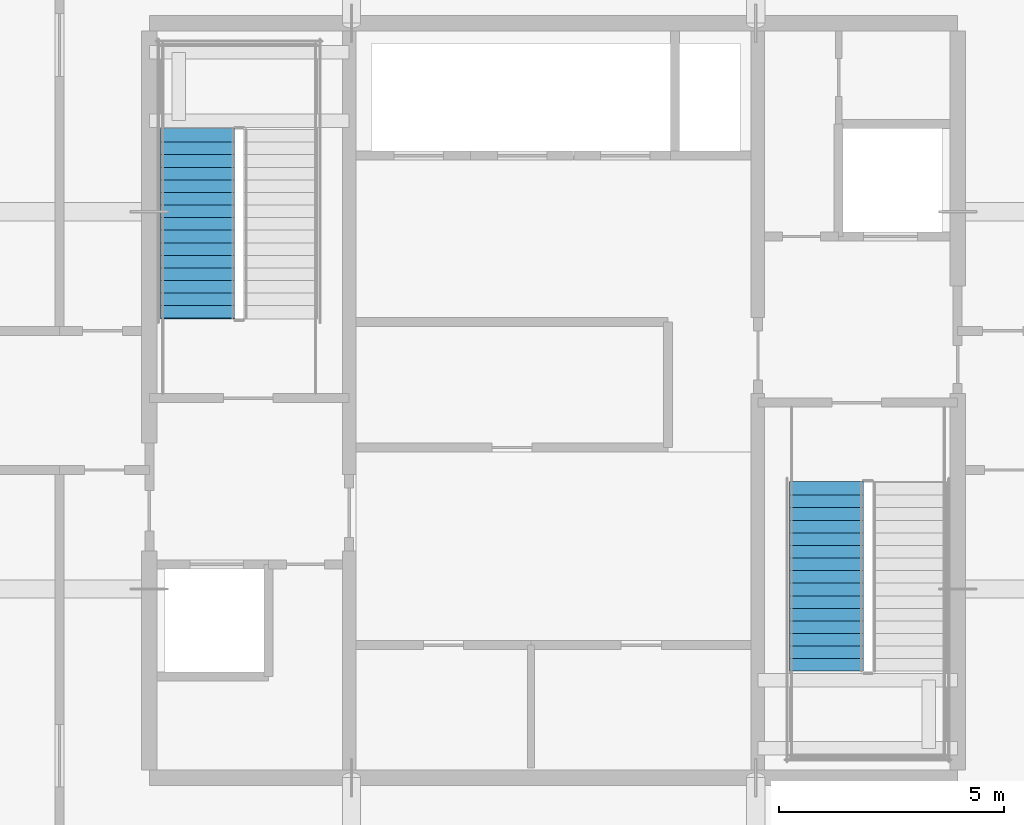
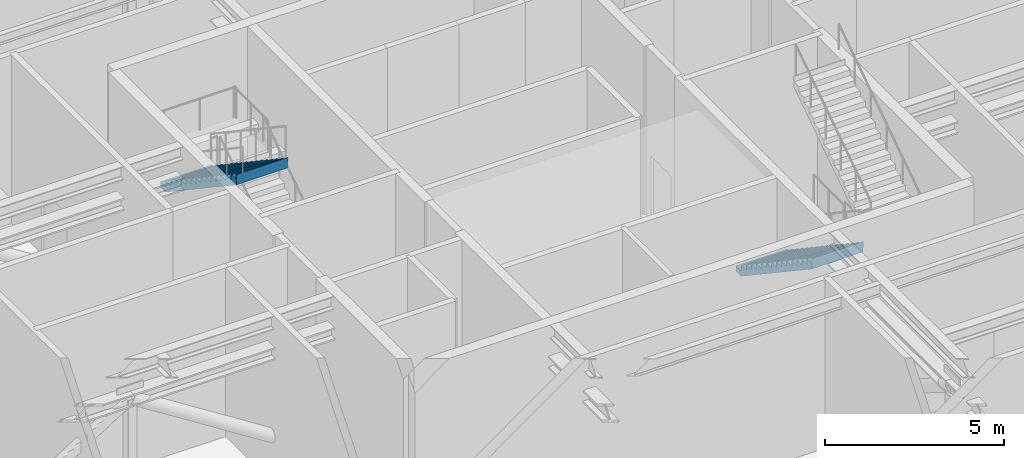
# One storey, part 18 of 22: 2 stair flights, 2 elements without a shape of their own.
"""IFC4 building model written with IfcOpenShell, lengths in metres."""

from ifc_helpers import new_model, si_unit, direction, frame, origin, place, context, subcontext, project, spatial, polygons, material, type_object, element, aggregate, save


model = new_model("IFC4")

# Units and contexts
model_context = context("Model", 3, precision=1e-05, world=origin(), true_north=direction((0.0, 1.0)))
body_context = subcontext(model_context, "Body", "Model", "MODEL_VIEW")
ifc_project = project(units=[si_unit("LENGTHUNIT", "METRE"), si_unit("AREAUNIT", "SQUARE_METRE"), si_unit("VOLUMEUNIT", "CUBIC_METRE"), si_unit("PLANEANGLEUNIT", "RADIAN"), si_unit("MASSUNIT", "GRAM", prefix="KILO")], contexts=[model_context])

# Site, building, storey
site_placement = place(None, origin())
site = spatial("IfcSite", under=ifc_project, at=site_placement, CompositionType="ELEMENT")
building_placement = place(site_placement, origin())
building = spatial("IfcBuilding", under=site, at=building_placement, Name="Serunith Strait Residences", CompositionType="ELEMENT")
storey_placement = place(building_placement, frame((0.0, 0.0, 287.449951171875)))
storey = spatial("IfcBuildingStorey", under=building, at=storey_placement, Name="L72", CompositionType="ELEMENT", Elevation=287.449951171875)

# Stair, stair flight
ifc_material = material(Name="Concrete C50/60", Category="concrete")
stair_type_1 = type_object("IfcStairType", Name="STR-CORE-1", PredefinedType="HALF_TURN_STAIR", material=ifc_material)
stair_1_placement = place(storey_placement, origin())
stair_1 = element("IfcStair", 1, at=stair_1_placement, inside=storey, type_object=stair_type_1, Name="L72 Protected Escape Stair ST-1", PredefinedType="HALF_TURN_STAIR")
stair_flight_type_1 = type_object("IfcStairFlightType", Name="FLT-CORE-1", PredefinedType="STRAIGHT", material=ifc_material)
stair_flight_1_placement = place(storey_placement, frame((24.47509765625, 31.22998046875, 3.0), z_axis=(0.0, 0.0, 1.0), x_axis=(0.0, -1.0, 0.0)))
stair_flight_1 = element("IfcStairFlight", 2, at=stair_flight_1_placement, type_object=stair_flight_type_1, Name="ST-1 flight 2", NumberOfRisers=16, NumberOfTreads=15, PredefinedType="STRAIGHT", RiserHeight=0.1875, TreadLength=0.28, context=body_context, shape_type="Tessellation", body=[
    polygons([(-0.02001953125, -0.824951171875, 0.0), (-0.02001953125, -0.824951171875, 0.1875), (0.280029296875, -0.824951171875, 0.1875), (0.280029296875, -0.824951171875, 0.375), (0.56005859375, -0.824951171875, 0.375), (0.56005859375, -0.824951171875, 0.5625), (0.840087890625, -0.824951171875, 0.5625), (0.840087890625, -0.824951171875, 0.75), (1.1201171875, -0.824951171875, 0.75), (1.1201171875, -0.824951171875, 0.9375), (1.39990234375, -0.824951171875, 0.9375), (1.39990234375, -0.824951171875, 1.125), (1.679931640625, -0.824951171875, 1.125), (1.679931640625, -0.824951171875, 1.3125), (1.9599609375, -0.824951171875, 1.3125), (1.9599609375, -0.824951171875, 1.5), (2.239990234375, -0.824951171875, 1.5), (2.239990234375, -0.824951171875, 1.6875), (2.52001953125, -0.824951171875, 1.6875), (2.52001953125, -0.824951171875, 1.875), (2.800048828125, -0.824951171875, 1.875), (2.800048828125, -0.824951171875, 2.0625), (3.080078125, -0.824951171875, 2.0625), (3.080078125, -0.824951171875, 2.25), (3.360107421875, -0.824951171875, 2.25), (3.360107421875, -0.824951171875, 2.4375), (3.639892578125, -0.824951171875, 2.4375), (3.639892578125, -0.824951171875, 2.625), (3.919921875, -0.824951171875, 2.625), (3.919921875, -0.824951171875, 2.8125), (4.199951171875, -0.824951171875, 2.8125), (4.199951171875, -0.824951171875, 3.0), (4.219970703125, -0.824951171875, 3.0), (4.219970703125, -0.824951171875, 2.93994140625), (4.199951171875, -0.824951171875, 2.632080078125), (0.26953125, -0.824951171875, 0.0), (-0.02001953125, -0.41259765625, 0.0), (-0.02001953125, -0.41259765625, 0.1875), (0.280029296875, -0.41259765625, 0.1875), (0.280029296875, -0.41259765625, 0.375), (0.56005859375, -0.41259765625, 0.375), (0.56005859375, -0.41259765625, 0.5625), (0.840087890625, -0.41259765625, 0.5625), (0.840087890625, -0.41259765625, 0.75), (1.1201171875, -0.41259765625, 0.75), (1.1201171875, -0.41259765625, 0.9375), (1.39990234375, -0.41259765625, 0.9375), (1.39990234375, -0.41259765625, 1.125), (1.679931640625, -0.41259765625, 1.125), (1.679931640625, -0.41259765625, 1.3125), (1.9599609375, -0.41259765625, 1.3125), (1.9599609375, -0.41259765625, 1.5), (2.239990234375, -0.41259765625, 1.5), (2.239990234375, -0.41259765625, 1.6875), (2.52001953125, -0.41259765625, 1.6875), (2.52001953125, -0.41259765625, 1.875), (2.800048828125, -0.41259765625, 1.875), (2.800048828125, -0.41259765625, 2.0625), (3.080078125, -0.41259765625, 2.0625), (3.080078125, -0.41259765625, 2.25), (3.360107421875, -0.41259765625, 2.25), (3.360107421875, -0.41259765625, 2.4375), (3.639892578125, -0.41259765625, 2.4375), (3.639892578125, -0.41259765625, 2.625), (3.919921875, -0.41259765625, 2.625), (3.919921875, -0.41259765625, 2.8125), (4.199951171875, -0.41259765625, 2.8125), (4.199951171875, -0.41259765625, 3.0), (4.219970703125, -0.41259765625, 3.0), (4.219970703125, -0.41259765625, 2.93994140625), (4.199951171875, -0.41259765625, 2.632080078125), (0.26953125, -0.41259765625, 0.0), (-0.02001953125, 0.0, 0.0), (-0.02001953125, 0.0, 0.1875), (0.280029296875, 0.0, 0.1875), (0.280029296875, 0.0, 0.375), (0.56005859375, 0.0, 0.375), (0.56005859375, 0.0, 0.5625), (0.840087890625, 0.0, 0.5625), (0.840087890625, 0.0, 0.75), (1.1201171875, 0.0, 0.75), (1.1201171875, 0.0, 0.9375), (1.39990234375, 0.0, 0.9375), (1.39990234375, 0.0, 1.125), (1.679931640625, 0.0, 1.125), (1.679931640625, 0.0, 1.3125), (1.9599609375, 0.0, 1.3125), (1.9599609375, 0.0, 1.5), (2.239990234375, 0.0, 1.5), (2.239990234375, 0.0, 1.6875), (2.52001953125, 0.0, 1.6875), (2.52001953125, 0.0, 1.875), (2.800048828125, 0.0, 1.875), (2.800048828125, 0.0, 2.0625), (3.080078125, 0.0, 2.0625), (3.080078125, 0.0, 2.25), (3.360107421875, 0.0, 2.25), (3.360107421875, 0.0, 2.4375), (3.639892578125, 0.0, 2.4375), (3.639892578125, 0.0, 2.625), (3.919921875, 0.0, 2.625), (3.919921875, 0.0, 2.8125), (4.199951171875, 0.0, 2.8125), (4.199951171875, 0.0, 3.0), (4.219970703125, 0.0, 3.0), (4.219970703125, 0.0, 2.93994140625), (4.199951171875, 0.0, 2.632080078125), (0.26953125, 0.0, 0.0), (-0.02001953125, 0.41259765625, 0.0), (-0.02001953125, 0.41259765625, 0.1875), (0.280029296875, 0.41259765625, 0.1875), (0.280029296875, 0.41259765625, 0.375), (0.56005859375, 0.41259765625, 0.375), (0.56005859375, 0.41259765625, 0.5625), (0.840087890625, 0.41259765625, 0.5625), (0.840087890625, 0.41259765625, 0.75), (1.1201171875, 0.41259765625, 0.75), (1.1201171875, 0.41259765625, 0.9375), (1.39990234375, 0.41259765625, 0.9375), (1.39990234375, 0.41259765625, 1.125), (1.679931640625, 0.41259765625, 1.125), (1.679931640625, 0.41259765625, 1.3125), (1.9599609375, 0.41259765625, 1.3125), (1.9599609375, 0.41259765625, 1.5), (2.239990234375, 0.41259765625, 1.5), (2.239990234375, 0.41259765625, 1.6875), (2.52001953125, 0.41259765625, 1.6875), (2.52001953125, 0.41259765625, 1.875), (2.800048828125, 0.41259765625, 1.875), (2.800048828125, 0.41259765625, 2.0625), (3.080078125, 0.41259765625, 2.0625), (3.080078125, 0.41259765625, 2.25), (3.360107421875, 0.41259765625, 2.25), (3.360107421875, 0.41259765625, 2.4375), (3.639892578125, 0.41259765625, 2.4375), (3.639892578125, 0.41259765625, 2.625), (3.919921875, 0.41259765625, 2.625), (3.919921875, 0.41259765625, 2.8125), (4.199951171875, 0.41259765625, 2.8125), (4.199951171875, 0.41259765625, 3.0), (4.219970703125, 0.41259765625, 3.0), (4.219970703125, 0.41259765625, 2.93994140625), (4.199951171875, 0.41259765625, 2.632080078125), (0.26953125, 0.41259765625, 0.0), (-0.02001953125, 0.824951171875, 0.0), (-0.02001953125, 0.824951171875, 0.1875), (0.280029296875, 0.824951171875, 0.1875), (0.280029296875, 0.824951171875, 0.375), (0.56005859375, 0.824951171875, 0.375), (0.56005859375, 0.824951171875, 0.5625), (0.840087890625, 0.824951171875, 0.5625), (0.840087890625, 0.824951171875, 0.75), (1.1201171875, 0.824951171875, 0.75), (1.1201171875, 0.824951171875, 0.9375), (1.39990234375, 0.824951171875, 0.9375), (1.39990234375, 0.824951171875, 1.125), (1.679931640625, 0.824951171875, 1.125), (1.679931640625, 0.824951171875, 1.3125), (1.9599609375, 0.824951171875, 1.3125), (1.9599609375, 0.824951171875, 1.5), (2.239990234375, 0.824951171875, 1.5), (2.239990234375, 0.824951171875, 1.6875), (2.52001953125, 0.824951171875, 1.6875), (2.52001953125, 0.824951171875, 1.875), (2.800048828125, 0.824951171875, 1.875), (2.800048828125, 0.824951171875, 2.0625), (3.080078125, 0.824951171875, 2.0625), (3.080078125, 0.824951171875, 2.25), (3.360107421875, 0.824951171875, 2.25), (3.360107421875, 0.824951171875, 2.4375), (3.639892578125, 0.824951171875, 2.4375), (3.639892578125, 0.824951171875, 2.625), (3.919921875, 0.824951171875, 2.625), (3.919921875, 0.824951171875, 2.8125), (4.199951171875, 0.824951171875, 2.8125), (4.199951171875, 0.824951171875, 3.0), (4.219970703125, 0.824951171875, 3.0), (4.219970703125, 0.824951171875, 2.93994140625), (4.199951171875, 0.824951171875, 2.632080078125), (0.26953125, 0.824951171875, 0.0)], [[[1, 2, 38, 37]], [[2, 3, 39, 38]], [[3, 4, 40, 39]], [[4, 5, 41, 40]], [[5, 6, 42, 41]], [[6, 7, 43, 42]], [[7, 8, 44, 43]], [[8, 9, 45, 44]], [[9, 10, 46, 45]], [[10, 11, 47, 46]], [[11, 12, 48, 47]], [[12, 13, 49, 48]], [[13, 14, 50, 49]], [[14, 15, 51, 50]], [[15, 16, 52, 51]], [[16, 17, 53, 52]], [[17, 18, 54, 53]], [[18, 19, 55, 54]], [[19, 20, 56, 55]], [[20, 21, 57, 56]], [[21, 22, 58, 57]], [[22, 23, 59, 58]], [[23, 24, 60, 59]], [[24, 25, 61, 60]], [[25, 26, 62, 61]], [[26, 27, 63, 62]], [[27, 28, 64, 63]], [[28, 29, 65, 64]], [[29, 30, 66, 65]], [[30, 31, 67, 66]], [[31, 32, 68, 67]], [[32, 33, 69, 68]], [[33, 34, 70, 69]], [[34, 35, 71, 70]], [[35, 36, 72, 71]], [[36, 1, 37, 72]], [[37, 38, 74, 73]], [[38, 39, 75, 74]], [[39, 40, 76, 75]], [[40, 41, 77, 76]], [[41, 42, 78, 77]], [[42, 43, 79, 78]], [[43, 44, 80, 79]], [[44, 45, 81, 80]], [[45, 46, 82, 81]], [[46, 47, 83, 82]], [[47, 48, 84, 83]], [[48, 49, 85, 84]], [[49, 50, 86, 85]], [[50, 51, 87, 86]], [[51, 52, 88, 87]], [[52, 53, 89, 88]], [[53, 54, 90, 89]], [[54, 55, 91, 90]], [[55, 56, 92, 91]], [[56, 57, 93, 92]], [[57, 58, 94, 93]], [[58, 59, 95, 94]], [[59, 60, 96, 95]], [[60, 61, 97, 96]], [[61, 62, 98, 97]], [[62, 63, 99, 98]], [[63, 64, 100, 99]], [[64, 65, 101, 100]], [[65, 66, 102, 101]], [[66, 67, 103, 102]], [[67, 68, 104, 103]], [[68, 69, 105, 104]], [[69, 70, 106, 105]], [[70, 71, 107, 106]], [[71, 72, 108, 107]], [[72, 37, 73, 108]], [[73, 74, 110, 109]], [[74, 75, 111, 110]], [[75, 76, 112, 111]], [[76, 77, 113, 112]], [[77, 78, 114, 113]], [[78, 79, 115, 114]], [[79, 80, 116, 115]], [[80, 81, 117, 116]], [[81, 82, 118, 117]], [[82, 83, 119, 118]], [[83, 84, 120, 119]], [[84, 85, 121, 120]], [[85, 86, 122, 121]], [[86, 87, 123, 122]], [[87, 88, 124, 123]], [[88, 89, 125, 124]], [[89, 90, 126, 125]], [[90, 91, 127, 126]], [[91, 92, 128, 127]], [[92, 93, 129, 128]], [[93, 94, 130, 129]], [[94, 95, 131, 130]], [[95, 96, 132, 131]], [[96, 97, 133, 132]], [[97, 98, 134, 133]], [[98, 99, 135, 134]], [[99, 100, 136, 135]], [[100, 101, 137, 136]], [[101, 102, 138, 137]], [[102, 103, 139, 138]], [[103, 104, 140, 139]], [[104, 105, 141, 140]], [[105, 106, 142, 141]], [[106, 107, 143, 142]], [[107, 108, 144, 143]], [[108, 73, 109, 144]], [[109, 110, 146, 145]], [[110, 111, 147, 146]], [[111, 112, 148, 147]], [[112, 113, 149, 148]], [[113, 114, 150, 149]], [[114, 115, 151, 150]], [[115, 116, 152, 151]], [[116, 117, 153, 152]], [[117, 118, 154, 153]], [[118, 119, 155, 154]], [[119, 120, 156, 155]], [[120, 121, 157, 156]], [[121, 122, 158, 157]], [[122, 123, 159, 158]], [[123, 124, 160, 159]], [[124, 125, 161, 160]], [[125, 126, 162, 161]], [[126, 127, 163, 162]], [[127, 128, 164, 163]], [[128, 129, 165, 164]], [[129, 130, 166, 165]], [[130, 131, 167, 166]], [[131, 132, 168, 167]], [[132, 133, 169, 168]], [[133, 134, 170, 169]], [[134, 135, 171, 170]], [[135, 136, 172, 171]], [[136, 137, 173, 172]], [[137, 138, 174, 173]], [[138, 139, 175, 174]], [[139, 140, 176, 175]], [[140, 141, 177, 176]], [[141, 142, 178, 177]], [[142, 143, 179, 178]], [[143, 144, 180, 179]], [[144, 109, 145, 180]], [[36, 35, 34, 33, 32, 31, 30, 29, 28, 27, 26, 25, 24, 23, 22, 21, 20, 19, 18, 17, 16, 15, 14, 13, 12, 11, 10, 9, 8, 7, 6, 5, 4, 3, 2, 1]], [[145, 146, 147, 148, 149, 150, 151, 152, 153, 154, 155, 156, 157, 158, 159, 160, 161, 162, 163, 164, 165, 166, 167, 168, 169, 170, 171, 172, 173, 174, 175, 176, 177, 178, 179, 180]]], closed=True),
])
aggregate(stair_1, [stair_flight_1])

stair_type_2 = type_object("IfcStairType", Name="STR-CORE-2", PredefinedType="HALF_TURN_STAIR", material=ifc_material)
stair_2_placement = place(storey_placement, origin())
stair_2 = element("IfcStair", 3, at=stair_2_placement, inside=storey, type_object=stair_type_2, Name="L72 Protected Escape Stair ST-2", PredefinedType="HALF_TURN_STAIR")
stair_flight_type_2 = type_object("IfcStairFlightType", Name="FLT-CORE-2", PredefinedType="STRAIGHT", material=ifc_material)
stair_flight_2_placement = place(storey_placement, frame((38.47509765625, 23.3701171875, 0.0), z_axis=(0.0, 0.0, 1.0), x_axis=(0.0, -1.0, 0.0)))
stair_flight_2 = element("IfcStairFlight", 4, at=stair_flight_2_placement, type_object=stair_flight_type_2, Name="ST-2 flight 1", NumberOfRisers=16, NumberOfTreads=15, PredefinedType="STRAIGHT", RiserHeight=0.1875, TreadLength=0.28, context=body_context, shape_type="Tessellation", body=[
    polygons([(-0.02001953125, -0.824951171875, 0.0), (-0.02001953125, -0.824951171875, 0.1875), (0.280029296875, -0.824951171875, 0.1875), (0.280029296875, -0.824951171875, 0.375), (0.56005859375, -0.824951171875, 0.375), (0.56005859375, -0.824951171875, 0.5625), (0.840087890625, -0.824951171875, 0.5625), (0.840087890625, -0.824951171875, 0.75), (1.1201171875, -0.824951171875, 0.75), (1.1201171875, -0.824951171875, 0.9375), (1.39990234375, -0.824951171875, 0.9375), (1.39990234375, -0.824951171875, 1.125), (1.679931640625, -0.824951171875, 1.125), (1.679931640625, -0.824951171875, 1.3125), (1.9599609375, -0.824951171875, 1.3125), (1.9599609375, -0.824951171875, 1.5), (2.239990234375, -0.824951171875, 1.5), (2.239990234375, -0.824951171875, 1.6875), (2.52001953125, -0.824951171875, 1.6875), (2.52001953125, -0.824951171875, 1.875), (2.800048828125, -0.824951171875, 1.875), (2.800048828125, -0.824951171875, 2.0625), (3.080078125, -0.824951171875, 2.0625), (3.080078125, -0.824951171875, 2.25), (3.360107421875, -0.824951171875, 2.25), (3.360107421875, -0.824951171875, 2.4375), (3.639892578125, -0.824951171875, 2.4375), (3.639892578125, -0.824951171875, 2.625), (3.919921875, -0.824951171875, 2.625), (3.919921875, -0.824951171875, 2.8125), (4.199951171875, -0.824951171875, 2.8125), (4.199951171875, -0.824951171875, 3.0), (4.219970703125, -0.824951171875, 3.0), (4.219970703125, -0.824951171875, 2.93994140625), (4.199951171875, -0.824951171875, 2.632080078125), (0.26953125, -0.824951171875, 0.0), (-0.02001953125, -0.41259765625, 0.0), (-0.02001953125, -0.41259765625, 0.1875), (0.280029296875, -0.41259765625, 0.1875), (0.280029296875, -0.41259765625, 0.375), (0.56005859375, -0.41259765625, 0.375), (0.56005859375, -0.41259765625, 0.5625), (0.840087890625, -0.41259765625, 0.5625), (0.840087890625, -0.41259765625, 0.75), (1.1201171875, -0.41259765625, 0.75), (1.1201171875, -0.41259765625, 0.9375), (1.39990234375, -0.41259765625, 0.9375), (1.39990234375, -0.41259765625, 1.125), (1.679931640625, -0.41259765625, 1.125), (1.679931640625, -0.41259765625, 1.3125), (1.9599609375, -0.41259765625, 1.3125), (1.9599609375, -0.41259765625, 1.5), (2.239990234375, -0.41259765625, 1.5), (2.239990234375, -0.41259765625, 1.6875), (2.52001953125, -0.41259765625, 1.6875), (2.52001953125, -0.41259765625, 1.875), (2.800048828125, -0.41259765625, 1.875), (2.800048828125, -0.41259765625, 2.0625), (3.080078125, -0.41259765625, 2.0625), (3.080078125, -0.41259765625, 2.25), (3.360107421875, -0.41259765625, 2.25), (3.360107421875, -0.41259765625, 2.4375), (3.639892578125, -0.41259765625, 2.4375), (3.639892578125, -0.41259765625, 2.625), (3.919921875, -0.41259765625, 2.625), (3.919921875, -0.41259765625, 2.8125), (4.199951171875, -0.41259765625, 2.8125), (4.199951171875, -0.41259765625, 3.0), (4.219970703125, -0.41259765625, 3.0), (4.219970703125, -0.41259765625, 2.93994140625), (4.199951171875, -0.41259765625, 2.632080078125), (0.26953125, -0.41259765625, 0.0), (-0.02001953125, 0.0, 0.0), (-0.02001953125, 0.0, 0.1875), (0.280029296875, 0.0, 0.1875), (0.280029296875, 0.0, 0.375), (0.56005859375, 0.0, 0.375), (0.56005859375, 0.0, 0.5625), (0.840087890625, 0.0, 0.5625), (0.840087890625, 0.0, 0.75), (1.1201171875, 0.0, 0.75), (1.1201171875, 0.0, 0.9375), (1.39990234375, 0.0, 0.9375), (1.39990234375, 0.0, 1.125), (1.679931640625, 0.0, 1.125), (1.679931640625, 0.0, 1.3125), (1.9599609375, 0.0, 1.3125), (1.9599609375, 0.0, 1.5), (2.239990234375, 0.0, 1.5), (2.239990234375, 0.0, 1.6875), (2.52001953125, 0.0, 1.6875), (2.52001953125, 0.0, 1.875), (2.800048828125, 0.0, 1.875), (2.800048828125, 0.0, 2.0625), (3.080078125, 0.0, 2.0625), (3.080078125, 0.0, 2.25), (3.360107421875, 0.0, 2.25), (3.360107421875, 0.0, 2.4375), (3.639892578125, 0.0, 2.4375), (3.639892578125, 0.0, 2.625), (3.919921875, 0.0, 2.625), (3.919921875, 0.0, 2.8125), (4.199951171875, 0.0, 2.8125), (4.199951171875, 0.0, 3.0), (4.219970703125, 0.0, 3.0), (4.219970703125, 0.0, 2.93994140625), (4.199951171875, 0.0, 2.632080078125), (0.26953125, 0.0, 0.0), (-0.02001953125, 0.41259765625, 0.0), (-0.02001953125, 0.41259765625, 0.1875), (0.280029296875, 0.41259765625, 0.1875), (0.280029296875, 0.41259765625, 0.375), (0.56005859375, 0.41259765625, 0.375), (0.56005859375, 0.41259765625, 0.5625), (0.840087890625, 0.41259765625, 0.5625), (0.840087890625, 0.41259765625, 0.75), (1.1201171875, 0.41259765625, 0.75), (1.1201171875, 0.41259765625, 0.9375), (1.39990234375, 0.41259765625, 0.9375), (1.39990234375, 0.41259765625, 1.125), (1.679931640625, 0.41259765625, 1.125), (1.679931640625, 0.41259765625, 1.3125), (1.9599609375, 0.41259765625, 1.3125), (1.9599609375, 0.41259765625, 1.5), (2.239990234375, 0.41259765625, 1.5), (2.239990234375, 0.41259765625, 1.6875), (2.52001953125, 0.41259765625, 1.6875), (2.52001953125, 0.41259765625, 1.875), (2.800048828125, 0.41259765625, 1.875), (2.800048828125, 0.41259765625, 2.0625), (3.080078125, 0.41259765625, 2.0625), (3.080078125, 0.41259765625, 2.25), (3.360107421875, 0.41259765625, 2.25), (3.360107421875, 0.41259765625, 2.4375), (3.639892578125, 0.41259765625, 2.4375), (3.639892578125, 0.41259765625, 2.625), (3.919921875, 0.41259765625, 2.625), (3.919921875, 0.41259765625, 2.8125), (4.199951171875, 0.41259765625, 2.8125), (4.199951171875, 0.41259765625, 3.0), (4.219970703125, 0.41259765625, 3.0), (4.219970703125, 0.41259765625, 2.93994140625), (4.199951171875, 0.41259765625, 2.632080078125), (0.26953125, 0.41259765625, 0.0), (-0.02001953125, 0.824951171875, 0.0), (-0.02001953125, 0.824951171875, 0.1875), (0.280029296875, 0.824951171875, 0.1875), (0.280029296875, 0.824951171875, 0.375), (0.56005859375, 0.824951171875, 0.375), (0.56005859375, 0.824951171875, 0.5625), (0.840087890625, 0.824951171875, 0.5625), (0.840087890625, 0.824951171875, 0.75), (1.1201171875, 0.824951171875, 0.75), (1.1201171875, 0.824951171875, 0.9375), (1.39990234375, 0.824951171875, 0.9375), (1.39990234375, 0.824951171875, 1.125), (1.679931640625, 0.824951171875, 1.125), (1.679931640625, 0.824951171875, 1.3125), (1.9599609375, 0.824951171875, 1.3125), (1.9599609375, 0.824951171875, 1.5), (2.239990234375, 0.824951171875, 1.5), (2.239990234375, 0.824951171875, 1.6875), (2.52001953125, 0.824951171875, 1.6875), (2.52001953125, 0.824951171875, 1.875), (2.800048828125, 0.824951171875, 1.875), (2.800048828125, 0.824951171875, 2.0625), (3.080078125, 0.824951171875, 2.0625), (3.080078125, 0.824951171875, 2.25), (3.360107421875, 0.824951171875, 2.25), (3.360107421875, 0.824951171875, 2.4375), (3.639892578125, 0.824951171875, 2.4375), (3.639892578125, 0.824951171875, 2.625), (3.919921875, 0.824951171875, 2.625), (3.919921875, 0.824951171875, 2.8125), (4.199951171875, 0.824951171875, 2.8125), (4.199951171875, 0.824951171875, 3.0), (4.219970703125, 0.824951171875, 3.0), (4.219970703125, 0.824951171875, 2.93994140625), (4.199951171875, 0.824951171875, 2.632080078125), (0.26953125, 0.824951171875, 0.0)], [[[1, 2, 38, 37]], [[2, 3, 39, 38]], [[3, 4, 40, 39]], [[4, 5, 41, 40]], [[5, 6, 42, 41]], [[6, 7, 43, 42]], [[7, 8, 44, 43]], [[8, 9, 45, 44]], [[9, 10, 46, 45]], [[10, 11, 47, 46]], [[11, 12, 48, 47]], [[12, 13, 49, 48]], [[13, 14, 50, 49]], [[14, 15, 51, 50]], [[15, 16, 52, 51]], [[16, 17, 53, 52]], [[17, 18, 54, 53]], [[18, 19, 55, 54]], [[19, 20, 56, 55]], [[20, 21, 57, 56]], [[21, 22, 58, 57]], [[22, 23, 59, 58]], [[23, 24, 60, 59]], [[24, 25, 61, 60]], [[25, 26, 62, 61]], [[26, 27, 63, 62]], [[27, 28, 64, 63]], [[28, 29, 65, 64]], [[29, 30, 66, 65]], [[30, 31, 67, 66]], [[31, 32, 68, 67]], [[32, 33, 69, 68]], [[33, 34, 70, 69]], [[34, 35, 71, 70]], [[35, 36, 72, 71]], [[36, 1, 37, 72]], [[37, 38, 74, 73]], [[38, 39, 75, 74]], [[39, 40, 76, 75]], [[40, 41, 77, 76]], [[41, 42, 78, 77]], [[42, 43, 79, 78]], [[43, 44, 80, 79]], [[44, 45, 81, 80]], [[45, 46, 82, 81]], [[46, 47, 83, 82]], [[47, 48, 84, 83]], [[48, 49, 85, 84]], [[49, 50, 86, 85]], [[50, 51, 87, 86]], [[51, 52, 88, 87]], [[52, 53, 89, 88]], [[53, 54, 90, 89]], [[54, 55, 91, 90]], [[55, 56, 92, 91]], [[56, 57, 93, 92]], [[57, 58, 94, 93]], [[58, 59, 95, 94]], [[59, 60, 96, 95]], [[60, 61, 97, 96]], [[61, 62, 98, 97]], [[62, 63, 99, 98]], [[63, 64, 100, 99]], [[64, 65, 101, 100]], [[65, 66, 102, 101]], [[66, 67, 103, 102]], [[67, 68, 104, 103]], [[68, 69, 105, 104]], [[69, 70, 106, 105]], [[70, 71, 107, 106]], [[71, 72, 108, 107]], [[72, 37, 73, 108]], [[73, 74, 110, 109]], [[74, 75, 111, 110]], [[75, 76, 112, 111]], [[76, 77, 113, 112]], [[77, 78, 114, 113]], [[78, 79, 115, 114]], [[79, 80, 116, 115]], [[80, 81, 117, 116]], [[81, 82, 118, 117]], [[82, 83, 119, 118]], [[83, 84, 120, 119]], [[84, 85, 121, 120]], [[85, 86, 122, 121]], [[86, 87, 123, 122]], [[87, 88, 124, 123]], [[88, 89, 125, 124]], [[89, 90, 126, 125]], [[90, 91, 127, 126]], [[91, 92, 128, 127]], [[92, 93, 129, 128]], [[93, 94, 130, 129]], [[94, 95, 131, 130]], [[95, 96, 132, 131]], [[96, 97, 133, 132]], [[97, 98, 134, 133]], [[98, 99, 135, 134]], [[99, 100, 136, 135]], [[100, 101, 137, 136]], [[101, 102, 138, 137]], [[102, 103, 139, 138]], [[103, 104, 140, 139]], [[104, 105, 141, 140]], [[105, 106, 142, 141]], [[106, 107, 143, 142]], [[107, 108, 144, 143]], [[108, 73, 109, 144]], [[109, 110, 146, 145]], [[110, 111, 147, 146]], [[111, 112, 148, 147]], [[112, 113, 149, 148]], [[113, 114, 150, 149]], [[114, 115, 151, 150]], [[115, 116, 152, 151]], [[116, 117, 153, 152]], [[117, 118, 154, 153]], [[118, 119, 155, 154]], [[119, 120, 156, 155]], [[120, 121, 157, 156]], [[121, 122, 158, 157]], [[122, 123, 159, 158]], [[123, 124, 160, 159]], [[124, 125, 161, 160]], [[125, 126, 162, 161]], [[126, 127, 163, 162]], [[127, 128, 164, 163]], [[128, 129, 165, 164]], [[129, 130, 166, 165]], [[130, 131, 167, 166]], [[131, 132, 168, 167]], [[132, 133, 169, 168]], [[133, 134, 170, 169]], [[134, 135, 171, 170]], [[135, 136, 172, 171]], [[136, 137, 173, 172]], [[137, 138, 174, 173]], [[138, 139, 175, 174]], [[139, 140, 176, 175]], [[140, 141, 177, 176]], [[141, 142, 178, 177]], [[142, 143, 179, 178]], [[143, 144, 180, 179]], [[144, 109, 145, 180]], [[36, 35, 34, 33, 32, 31, 30, 29, 28, 27, 26, 25, 24, 23, 22, 21, 20, 19, 18, 17, 16, 15, 14, 13, 12, 11, 10, 9, 8, 7, 6, 5, 4, 3, 2, 1]], [[145, 146, 147, 148, 149, 150, 151, 152, 153, 154, 155, 156, 157, 158, 159, 160, 161, 162, 163, 164, 165, 166, 167, 168, 169, 170, 171, 172, 173, 174, 175, 176, 177, 178, 179, 180]]], closed=True),
])
aggregate(stair_2, [stair_flight_2])

save(model, "model.ifc")
